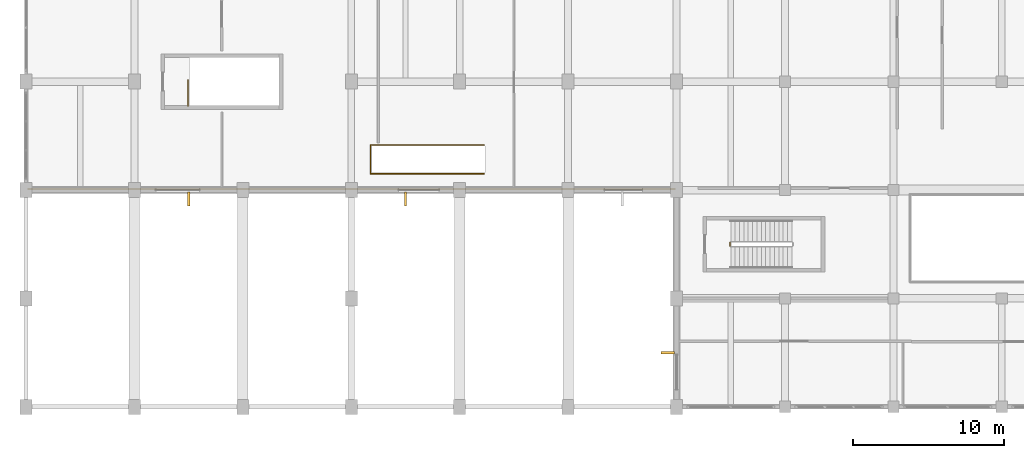
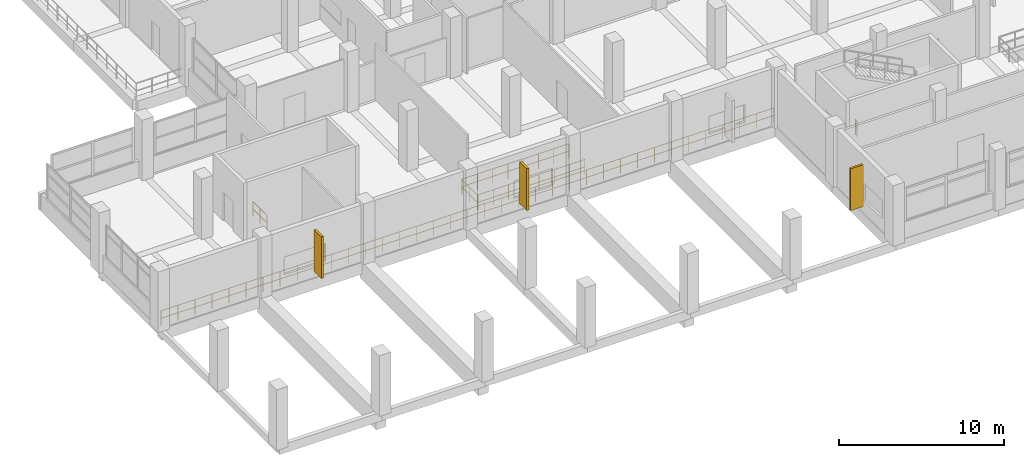
# One storey, part 134 of 141: 6 railings, 3 shading devices.
"""IFC4 building model written with IfcOpenShell, lengths in metres."""

from ifc_helpers import new_model, si_unit, direction, frame, origin, origin_2d, place, context, subcontext, project, spatial, rectangle, circle, extrude, material, type_object, element, save


model = new_model("IFC4")

# Units and contexts
model_context = context("Model", 3, precision=1e-05, world=origin(), true_north=direction((0.0, 1.0)))
body_context = subcontext(model_context, "Body", "Model", "MODEL_VIEW")
ifc_project = project(units=[si_unit("LENGTHUNIT", "METRE"), si_unit("AREAUNIT", "SQUARE_METRE"), si_unit("VOLUMEUNIT", "CUBIC_METRE"), si_unit("PLANEANGLEUNIT", "RADIAN"), si_unit("MASSUNIT", "GRAM", prefix="KILO")], contexts=[model_context])

# Site, building, storey
site_placement = place(None, origin())
site = spatial("IfcSite", under=ifc_project, at=site_placement, CompositionType="ELEMENT")
building_placement = place(site_placement, origin())
building = spatial("IfcBuilding", under=site, at=building_placement, Name="Seraya Terrace Polytechnic", CompositionType="ELEMENT")
storey_placement = place(building_placement, frame((0.0, 0.0, 14.39990234375)))
storey = spatial("IfcBuildingStorey", under=building, at=storey_placement, Name="L03", CompositionType="ELEMENT", Elevation=14.39990234375)

# Shading devices
ifc_material_1 = material(Name="Precast concrete C40/50", Category="concrete")
shading_device_type = type_object("IfcShadingDeviceType", Name="BS-F1", PredefinedType="JALOUSIE", material=ifc_material_1)
for number, where, z_axis, x_axis, name in (
    (1, (42.60498046875, 3.60009765625, 0.449951171875), (0.0, 0.0, 1.0), (-1.0, 0.0, 0.0), "Precast concrete brise-soleil fin L03"),
    (2, (25.199951171875, 13.804931640625, 0.449951171875), (0.0, 0.0, 1.0), (0.0, -1.0, 0.0), "Precast concrete brise-soleil fin L03"),
    (3, (10.800048828125, 13.804931640625, 0.449951171875), (0.0, 0.0, 1.0), (0.0, -1.0, 0.0), "Precast concrete brise-soleil fin L03"),
):
    element("IfcShadingDevice", number, at=place(storey_placement, frame(where, z_axis=z_axis, x_axis=x_axis)), inside=storey, type_object=shading_device_type, Name=name, PredefinedType="JALOUSIE", context=body_context, shape_type="SweptSolid", body=[
        extrude(rectangle(XDim=0.89990234375, YDim=0.14990234375, at=origin_2d()), origin(), (0.0, 0.0, 1.0), 3.10009765625),
    ])

# Railings
ifc_material_2 = material(Name="Steel S355J2", Category="steel")
railing_type = type_object("IfcRailingType", Name="GR-02", PredefinedType="GUARDRAIL", material=ifc_material_2)
railing_1_placement = place(storey_placement, frame((46.75, 10.699951171875, 0.0)))
element("IfcRailing", 4, at=railing_1_placement, inside=storey, type_object=railing_type, Name="L03 ST-03 stair guard 4", PredefinedType="GUARDRAIL", context=body_context, shape_type="SweptSolid", body=[
    extrude(circle(Radius=0.02392578125, at=origin_2d()), frame((0.0, 0.0, 1.10595703125), z_axis=(0.0, 1.0, 0.0), x_axis=(-1.0, 0.0, 0.0)), (0.0, 0.0, 1.0), 0.199951171875),
    extrude(circle(Radius=0.02392578125, at=origin_2d()), frame((0.0, 0.0, 0.550048828125), z_axis=(0.0, 1.0, 0.0), x_axis=(-1.0, 0.0, 0.0)), (0.0, 0.0, 1.0), 0.199951171875),
    extrude(circle(Radius=0.02099609375, at=origin_2d()), origin(), (0.0, 0.0, 1.0), 1.081787109375),
    extrude(circle(Radius=0.02099609375, at=origin_2d()), frame((0.0, 0.199951171875, 0.0)), (0.0, 0.0, 1.0), 1.081787109375),
])
railing_2_placement = place(storey_placement, frame((10.75, 20.0, 0.0)))
element("IfcRailing", 5, at=railing_2_placement, inside=storey, type_object=railing_type, Name="L03 ST-09 top well guard 1", PredefinedType="GUARDRAIL", context=body_context, shape_type="SweptSolid", body=[
    extrude(circle(Radius=0.02392578125, at=origin_2d()), frame((0.0, 0.0, 1.10595703125), z_axis=(0.0, 1.0, 0.0), x_axis=(-1.0, 0.0, 0.0)), (0.0, 0.0, 1.0), 1.699951171875),
    extrude(circle(Radius=0.02392578125, at=origin_2d()), frame((0.0, 0.0, 0.550048828125), z_axis=(0.0, 1.0, 0.0), x_axis=(-1.0, 0.0, 0.0)), (0.0, 0.0, 1.0), 1.699951171875),
    extrude(circle(Radius=0.02099609375, at=origin_2d()), origin(), (0.0, 0.0, 1.0), 1.081787109375),
    extrude(circle(Radius=0.02099609375, at=origin_2d()), frame((0.0, 0.85009765625, 0.0)), (0.0, 0.0, 1.0), 1.081787109375),
    extrude(circle(Radius=0.02099609375, at=origin_2d()), frame((0.0, 1.699951171875, 0.0)), (0.0, 0.0, 1.0), 1.081787109375),
])
railing_3_placement = place(storey_placement, frame((22.8798828125, 15.47998046875, 0.0)))
element("IfcRailing", 6, at=railing_3_placement, inside=storey, type_object=railing_type, Name="ST-15 top opening guard L03.1", PredefinedType="GUARDRAIL", context=body_context, shape_type="SweptSolid", body=[
    extrude(circle(Radius=0.02392578125, at=origin_2d()), frame((0.0, 0.0, 1.10595703125), z_axis=(0.0, 1.0, 0.0), x_axis=(-1.0, 0.0, 0.0)), (0.0, 0.0, 1.0), 1.919921875),
    extrude(circle(Radius=0.02392578125, at=origin_2d()), frame((0.0, 0.0, 0.550048828125), z_axis=(0.0, 1.0, 0.0), x_axis=(-1.0, 0.0, 0.0)), (0.0, 0.0, 1.0), 1.919921875),
    extrude(circle(Radius=0.02099609375, at=origin_2d()), origin(), (0.0, 0.0, 1.0), 1.081787109375),
    extrude(circle(Radius=0.02099609375, at=origin_2d()), frame((0.0, 0.9599609375, 0.0)), (0.0, 0.0, 1.0), 1.081787109375),
    extrude(circle(Radius=0.02099609375, at=origin_2d()), frame((0.0, 1.919921875, 0.0)), (0.0, 0.0, 1.0), 1.081787109375),
])
for number, where, name in (
    (7, (22.93994140625, 15.47998046875, 0.0), "ST-15 top opening guard L03.2"),
    (8, (22.93994140625, 17.39990234375, 0.0), "ST-15 top opening guard L03.3"),
):
    element("IfcRailing", number, at=place(storey_placement, frame(where)), inside=storey, type_object=railing_type, Name=name, PredefinedType="GUARDRAIL", context=body_context, shape_type="SweptSolid", body=[
        extrude(circle(Radius=0.02392578125, at=origin_2d()), frame((0.0, 0.0, 1.10595703125), z_axis=(1.0, 0.0, 0.0), x_axis=(0.0, 1.0, 0.0)), (0.0, 0.0, 1.0), 7.47998046875),
        extrude(circle(Radius=0.02392578125, at=origin_2d()), frame((0.0, 0.0, 0.550048828125), z_axis=(1.0, 0.0, 0.0), x_axis=(0.0, 1.0, 0.0)), (0.0, 0.0, 1.0), 7.47998046875),
        extrude(circle(Radius=0.02099609375, at=origin_2d()), origin(), (0.0, 0.0, 1.0), 1.081787109375),
        extrude(circle(Radius=0.02099609375, at=origin_2d()), frame((1.068603515625, 0.0, 0.0)), (0.0, 0.0, 1.0), 1.081787109375),
        extrude(circle(Radius=0.02099609375, at=origin_2d()), frame((2.13720703125, 0.0, 0.0)), (0.0, 0.0, 1.0), 1.081787109375),
        extrude(circle(Radius=0.02099609375, at=origin_2d()), frame((3.205810546875, 0.0, 0.0)), (0.0, 0.0, 1.0), 1.081787109375),
        extrude(circle(Radius=0.02099609375, at=origin_2d()), frame((4.274169921875, 0.0, 0.0)), (0.0, 0.0, 1.0), 1.081787109375),
        extrude(circle(Radius=0.02099609375, at=origin_2d()), frame((5.3427734375, 0.0, 0.0)), (0.0, 0.0, 1.0), 1.081787109375),
        extrude(circle(Radius=0.02099609375, at=origin_2d()), frame((6.411376953125, 0.0, 0.0)), (0.0, 0.0, 1.0), 1.081787109375),
        extrude(circle(Radius=0.02099609375, at=origin_2d()), frame((7.47998046875, 0.0, 0.0)), (0.0, 0.0, 1.0), 1.081787109375),
    ])
railing_4_placement = place(storey_placement, frame((0.1201171875, 14.4599609375, 0.0)))
element("IfcRailing", 9, at=railing_4_placement, inside=storey, type_object=railing_type, Name="Lecture concourse overlook guardrail L03", PredefinedType="GUARDRAIL", context=body_context, shape_type="SweptSolid", body=[
    extrude(circle(Radius=0.02392578125, at=origin_2d()), frame((0.0, 0.0, 1.10595703125), z_axis=(1.0, 0.0, 0.0), x_axis=(0.0, 1.0, 0.0)), (0.0, 0.0, 1.0), 42.9599609375),
    extrude(circle(Radius=0.02392578125, at=origin_2d()), frame((0.0, 0.0, 0.550048828125), z_axis=(1.0, 0.0, 0.0), x_axis=(0.0, 1.0, 0.0)), (0.0, 0.0, 1.0), 42.9599609375),
    extrude(circle(Radius=0.02099609375, at=origin_2d()), origin(), (0.0, 0.0, 1.0), 1.081787109375),
    extrude(circle(Radius=0.02099609375, at=origin_2d()), frame((1.193359375, 0.0, 0.0)), (0.0, 0.0, 1.0), 1.081787109375),
    extrude(circle(Radius=0.02099609375, at=origin_2d()), frame((2.38671875, 0.0, 0.0)), (0.0, 0.0, 1.0), 1.081787109375),
    extrude(circle(Radius=0.02099609375, at=origin_2d()), frame((3.580078125, 0.0, 0.0)), (0.0, 0.0, 1.0), 1.081787109375),
    extrude(circle(Radius=0.02099609375, at=origin_2d()), frame((4.7734375, 0.0, 0.0)), (0.0, 0.0, 1.0), 1.081787109375),
    extrude(circle(Radius=0.02099609375, at=origin_2d()), frame((5.966552734375, 0.0, 0.0)), (0.0, 0.0, 1.0), 1.081787109375),
    extrude(circle(Radius=0.02099609375, at=origin_2d()), frame((7.159912109375, 0.0, 0.0)), (0.0, 0.0, 1.0), 1.081787109375),
    extrude(circle(Radius=0.02099609375, at=origin_2d()), frame((8.353271484375, 0.0, 0.0)), (0.0, 0.0, 1.0), 1.081787109375),
    extrude(circle(Radius=0.02099609375, at=origin_2d()), frame((9.546630859375, 0.0, 0.0)), (0.0, 0.0, 1.0), 1.081787109375),
    extrude(circle(Radius=0.02099609375, at=origin_2d()), frame((10.739990234375, 0.0, 0.0)), (0.0, 0.0, 1.0), 1.081787109375),
    extrude(circle(Radius=0.02099609375, at=origin_2d()), frame((11.933349609375, 0.0, 0.0)), (0.0, 0.0, 1.0), 1.081787109375),
    extrude(circle(Radius=0.02099609375, at=origin_2d()), frame((13.126708984375, 0.0, 0.0)), (0.0, 0.0, 1.0), 1.081787109375),
    extrude(circle(Radius=0.02099609375, at=origin_2d()), frame((14.320068359375, 0.0, 0.0)), (0.0, 0.0, 1.0), 1.081787109375),
    extrude(circle(Radius=0.02099609375, at=origin_2d()), frame((15.513427734375, 0.0, 0.0)), (0.0, 0.0, 1.0), 1.081787109375),
    extrude(circle(Radius=0.02099609375, at=origin_2d()), frame((16.70654296875, 0.0, 0.0)), (0.0, 0.0, 1.0), 1.081787109375),
    extrude(circle(Radius=0.02099609375, at=origin_2d()), frame((17.89990234375, 0.0, 0.0)), (0.0, 0.0, 1.0), 1.081787109375),
    extrude(circle(Radius=0.02099609375, at=origin_2d()), frame((19.09326171875, 0.0, 0.0)), (0.0, 0.0, 1.0), 1.081787109375),
    extrude(circle(Radius=0.02099609375, at=origin_2d()), frame((20.28662109375, 0.0, 0.0)), (0.0, 0.0, 1.0), 1.081787109375),
    extrude(circle(Radius=0.02099609375, at=origin_2d()), frame((21.47998046875, 0.0, 0.0)), (0.0, 0.0, 1.0), 1.081787109375),
    extrude(circle(Radius=0.02099609375, at=origin_2d()), frame((22.67333984375, 0.0, 0.0)), (0.0, 0.0, 1.0), 1.081787109375),
    extrude(circle(Radius=0.02099609375, at=origin_2d()), frame((23.86669921875, 0.0, 0.0)), (0.0, 0.0, 1.0), 1.081787109375),
    extrude(circle(Radius=0.02099609375, at=origin_2d()), frame((25.06005859375, 0.0, 0.0)), (0.0, 0.0, 1.0), 1.081787109375),
    extrude(circle(Radius=0.02099609375, at=origin_2d()), frame((26.25341796875, 0.0, 0.0)), (0.0, 0.0, 1.0), 1.081787109375),
    extrude(circle(Radius=0.02099609375, at=origin_2d()), frame((27.446533203125, 0.0, 0.0)), (0.0, 0.0, 1.0), 1.081787109375),
    extrude(circle(Radius=0.02099609375, at=origin_2d()), frame((28.639892578125, 0.0, 0.0)), (0.0, 0.0, 1.0), 1.081787109375),
    extrude(circle(Radius=0.02099609375, at=origin_2d()), frame((29.833251953125, 0.0, 0.0)), (0.0, 0.0, 1.0), 1.081787109375),
    extrude(circle(Radius=0.02099609375, at=origin_2d()), frame((31.026611328125, 0.0, 0.0)), (0.0, 0.0, 1.0), 1.081787109375),
    extrude(circle(Radius=0.02099609375, at=origin_2d()), frame((32.219970703125, 0.0, 0.0)), (0.0, 0.0, 1.0), 1.081787109375),
    extrude(circle(Radius=0.02099609375, at=origin_2d()), frame((33.413330078125, 0.0, 0.0)), (0.0, 0.0, 1.0), 1.081787109375),
    extrude(circle(Radius=0.02099609375, at=origin_2d()), frame((34.606689453125, 0.0, 0.0)), (0.0, 0.0, 1.0), 1.081787109375),
    extrude(circle(Radius=0.02099609375, at=origin_2d()), frame((35.800048828125, 0.0, 0.0)), (0.0, 0.0, 1.0), 1.081787109375),
    extrude(circle(Radius=0.02099609375, at=origin_2d()), frame((36.993408203125, 0.0, 0.0)), (0.0, 0.0, 1.0), 1.081787109375),
    extrude(circle(Radius=0.02099609375, at=origin_2d()), frame((38.1865234375, 0.0, 0.0)), (0.0, 0.0, 1.0), 1.081787109375),
    extrude(circle(Radius=0.02099609375, at=origin_2d()), frame((39.3798828125, 0.0, 0.0)), (0.0, 0.0, 1.0), 1.081787109375),
    extrude(circle(Radius=0.02099609375, at=origin_2d()), frame((40.5732421875, 0.0, 0.0)), (0.0, 0.0, 1.0), 1.081787109375),
    extrude(circle(Radius=0.02099609375, at=origin_2d()), frame((41.7666015625, 0.0, 0.0)), (0.0, 0.0, 1.0), 1.081787109375),
    extrude(circle(Radius=0.02099609375, at=origin_2d()), frame((42.9599609375, 0.0, 0.0)), (0.0, 0.0, 1.0), 1.081787109375),
])

save(model, "model.ifc")
